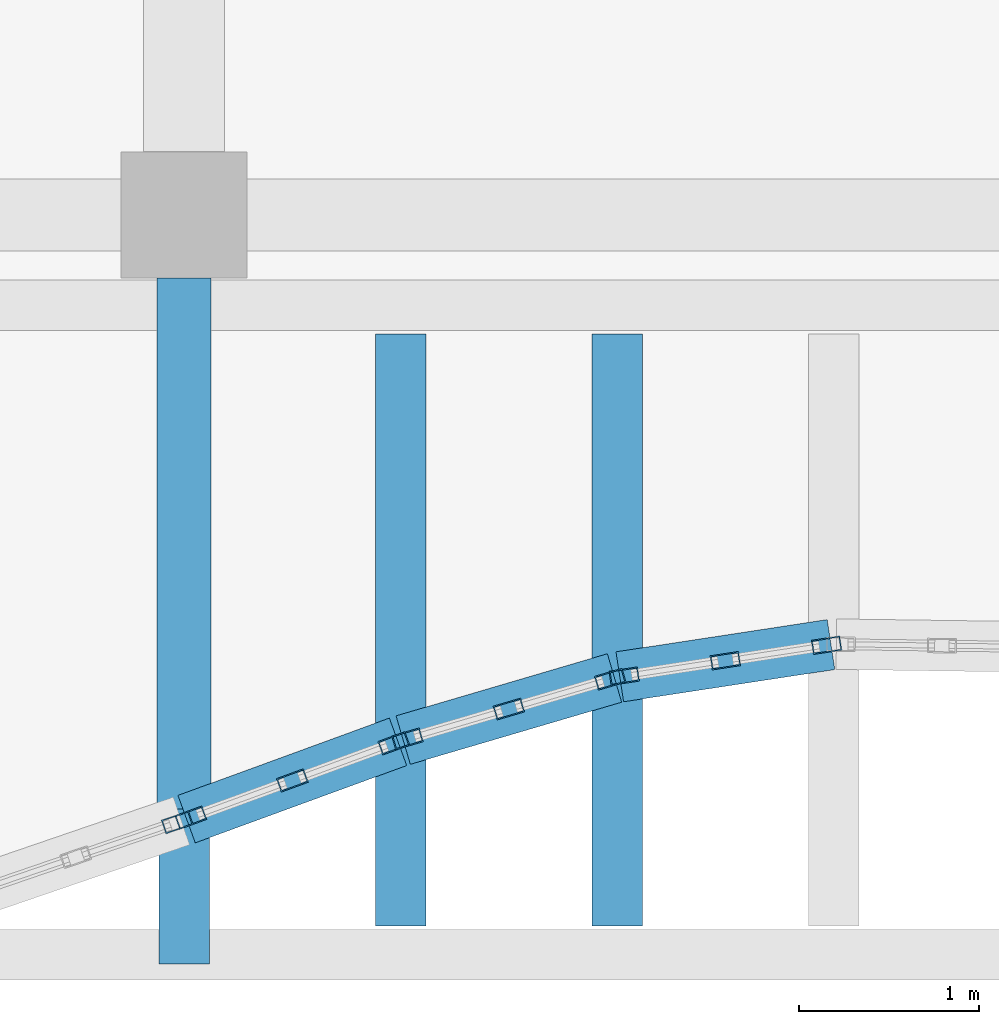
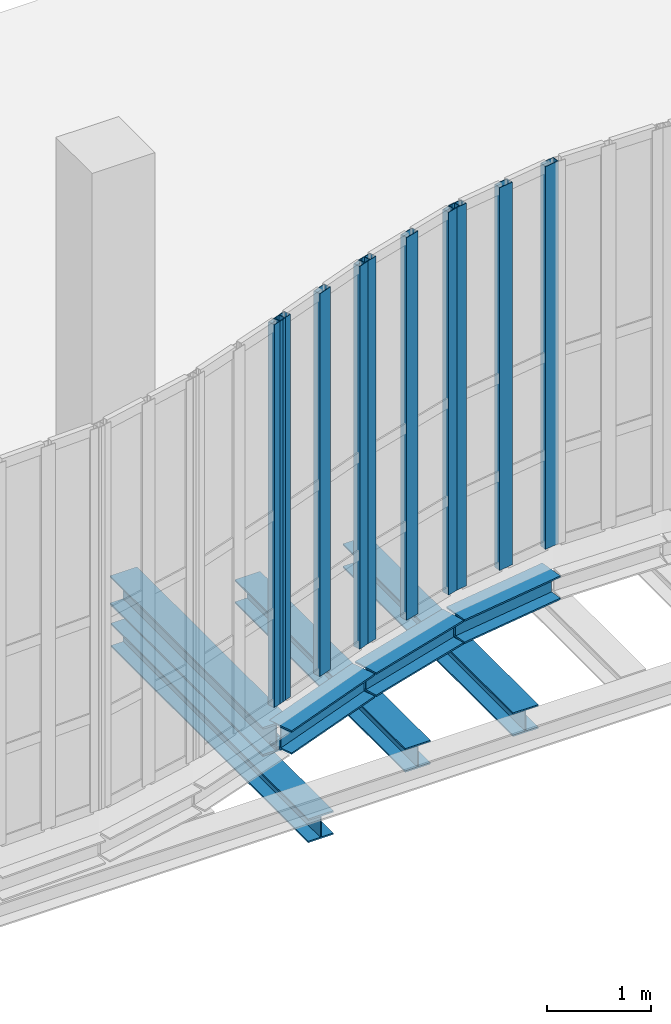
# One storey, part 29 of 108: 10 members, 7 beams, 4 elements without a shape of their own.
"""IFC4 building model written with IfcOpenShell, lengths in metres."""

from ifc_helpers import new_model, si_unit, direction, frame, origin, origin_2d, place, context, subcontext, project, spatial, hollow_rectangle, i_section, extrude, material, layer, layer_set, material_profile, profile_set, type_object, element, aggregate, save


model = new_model("IFC4")

# Units and contexts
model_context = context("Model", 3, precision=1e-05, world=origin(), true_north=direction((0.0, 1.0)))
body_context = subcontext(model_context, "Body", "Model", "MODEL_VIEW")
ifc_project = project(units=[si_unit("LENGTHUNIT", "METRE"), si_unit("AREAUNIT", "SQUARE_METRE"), si_unit("VOLUMEUNIT", "CUBIC_METRE"), si_unit("PLANEANGLEUNIT", "RADIAN"), si_unit("MASSUNIT", "GRAM", prefix="KILO"), si_unit("THERMODYNAMICTEMPERATUREUNIT", "KELVIN"), si_unit("POWERUNIT", "WATT")], contexts=[model_context])

# Site, building, storey
site_placement = place(None, origin())
site = spatial("IfcSite", under=ifc_project, at=site_placement, CompositionType="ELEMENT")
building_placement = place(site_placement, origin())
building = spatial("IfcBuilding", under=site, at=building_placement, Name="Kaldorven Railside Theatre", CompositionType="ELEMENT")
storey_placement = place(building_placement, frame((0.0, 0.0, 5.39990234375)))
storey = spatial("IfcBuildingStorey", under=building, at=storey_placement, Name="L01", CompositionType="ELEMENT", Elevation=5.39990234375)

# Beams
ifc_material_1 = material(Name="Steel S355", Category="steel")
ifc_material_profile_1 = material_profile(ifc_material_1, i_section(OverallWidth=0.280029296875, OverallDepth=0.280029296875, WebThickness=0.010498046875, FlangeThickness=0.01806640625, at=origin_2d()), Name="HEB 280")
ifc_profile_set_1 = profile_set([ifc_material_profile_1], Name="Steel S355")
beam_type_1 = type_object("IfcBeamType", Name="BM-HEB280", PredefinedType="SPANDREL", material=ifc_profile_set_1)
beam_1_placement = place(storey_placement, frame((80.0, 15.050048828125, -1.0), z_axis=(0.0, 1.0, 0.0), x_axis=(-1.0, 0.0, 0.0)))
element("IfcBeam", 1, at=beam_1_placement, inside=storey, type_object=beam_type_1, Name="L01 Sinusoidal Lower Cantilever Girder FOB-K006", PredefinedType="SPANDREL", context=body_context, shape_type="SweptSolid", body=[
    extrude(i_section(OverallWidth=0.280029296875, OverallDepth=0.280029296875, WebThickness=0.010498046875, FlangeThickness=0.01806640625, at=origin_2d()), origin(), (0.0, 0.0, 1.0), 3.800048828125),
])
beam_2_placement = place(storey_placement, frame((80.01416015625, 15.8515625, -0.43994140625), z_axis=(0.939169047954, 0.343455236333, 0.0), x_axis=(-0.343455236333, 0.939169047954, 0.0)))
element("IfcBeam", 2, at=beam_2_placement, inside=storey, type_object=beam_type_1, Name="L01 Sinusoidal Flute Edge Spandrel FSB-037", PredefinedType="SPANDREL", context=body_context, shape_type="SweptSolid", body=[
    extrude(i_section(OverallWidth=0.280029296875, OverallDepth=0.280029296875, WebThickness=0.010498046875, FlangeThickness=0.01806640625, at=origin_2d()), origin(), (0.0, 0.0, 1.0), 1.24755859375),
])
beam_3_placement = place(storey_placement, frame((81.21435546875, 16.28955078125, -0.43994140625), z_axis=(0.959413259183, 0.282003897321, 0.0), x_axis=(-0.282003897321, 0.959413259183, 0.0)))
element("IfcBeam", 3, at=beam_3_placement, inside=storey, type_object=beam_type_1, Name="L01 Sinusoidal Flute Edge Spandrel FSB-038", PredefinedType="SPANDREL", context=body_context, shape_type="SweptSolid", body=[
    extrude(i_section(OverallWidth=0.280029296875, OverallDepth=0.280029296875, WebThickness=0.010498046875, FlangeThickness=0.01806640625, at=origin_2d()), origin(), (0.0, 0.0, 1.0), 1.220703125),
])
beam_4_placement = place(storey_placement, frame((81.199951171875, 15.260009765625, -0.719970703125), z_axis=(0.0, 1.0, 0.0), x_axis=(-1.0, 0.0, 0.0)))
element("IfcBeam", 4, at=beam_4_placement, inside=storey, type_object=beam_type_1, Name="L01 Sinusoidal Diaphragm Rib Outrigger FOB-M038", PredefinedType="SPANDREL", context=body_context, shape_type="SweptSolid", body=[
    extrude(i_section(OverallWidth=0.280029296875, OverallDepth=0.280029296875, WebThickness=0.010498046875, FlangeThickness=0.01806640625, at=origin_2d()), origin(), (0.0, 0.0, 1.0), 3.280029296875),
])
beam_5_placement = place(storey_placement, frame((82.414794921875, 16.640380859375, -0.43994140625), z_axis=(0.988573454696, 0.150739923943, 0.0), x_axis=(-0.150739923943, 0.988573454696, 0.0)))
element("IfcBeam", 5, at=beam_5_placement, inside=storey, type_object=beam_type_1, Name="L01 Sinusoidal Flute Edge Spandrel FSB-039", PredefinedType="SPANDREL", context=body_context, shape_type="SweptSolid", body=[
    extrude(i_section(OverallWidth=0.280029296875, OverallDepth=0.280029296875, WebThickness=0.010498046875, FlangeThickness=0.01806640625, at=origin_2d()), origin(), (0.0, 0.0, 1.0), 1.183837890625),
])
beam_6_placement = place(storey_placement, frame((82.39990234375, 15.260009765625, -0.719970703125), z_axis=(0.0, 1.0, 0.0), x_axis=(-1.0, 0.0, 0.0)))
element("IfcBeam", 6, at=beam_6_placement, inside=storey, type_object=beam_type_1, Name="L01 Sinusoidal Diaphragm Rib Outrigger FOB-M039", PredefinedType="SPANDREL", context=body_context, shape_type="SweptSolid", body=[
    extrude(i_section(OverallWidth=0.280029296875, OverallDepth=0.280029296875, WebThickness=0.010498046875, FlangeThickness=0.01806640625, at=origin_2d()), origin(), (0.0, 0.0, 1.0), 3.280029296875),
])
ifc_material_profile_2 = material_profile(ifc_material_1, i_section(OverallWidth=0.300048828125, OverallDepth=0.340087890625, WebThickness=0.011962890625, FlangeThickness=0.021484375, at=origin_2d()), Name="HEB 340")
ifc_profile_set_2 = profile_set([ifc_material_profile_2], Name="Steel S355")
beam_type_2 = type_object("IfcBeamType", Name="BM-HEB340", PredefinedType="SPANDREL", material=ifc_profile_set_2)
beam_7_placement = place(storey_placement, frame((80.0, 15.906494140625, -0.469970703125), z_axis=(0.0, 1.0, 0.0), x_axis=(-1.0, 0.0, 0.0)))
element("IfcBeam", 7, at=beam_7_placement, inside=storey, type_object=beam_type_2, Name="L01 Sinusoidal Veil Outrigger FOB-1080", PredefinedType="SPANDREL", context=body_context, shape_type="SweptSolid", body=[
    extrude(i_section(OverallWidth=0.300048828125, OverallDepth=0.340087890625, WebThickness=0.011962890625, FlangeThickness=0.021484375, at=origin_2d()), origin(), (0.0, 0.0, 1.0), 2.943603515625),
])

# Curtain wall, member
ifc_material_2 = material(Name="Low-E laminated solar-control glass", Category="glass")
ifc_layer_1 = layer(ifc_material_2, 0.159912109375, Name="Low-E laminated solar-control glass")
ifc_layer_set_1 = layer_set([ifc_layer_1], Name="Low-E laminated solar-control glass")
curtain_wall_type_1 = type_object("IfcCurtainWallType", Name="CWT-04", PredefinedType="USERDEFINED", material=ifc_layer_set_1)
curtain_wall_1_placement = place(storey_placement, origin())
curtain_wall_1 = element("IfcCurtainWall", 8, at=curtain_wall_1_placement, inside=storey, type_object=curtain_wall_type_1, Name="Sinusoidal Fluted Curtain Wall CW-L01-S36", ObjectType="FLUTED GLAZING", PredefinedType="USERDEFINED")
ifc_material_3 = material(Name="Anodised bronze aluminium", Category="aluminium")
ifc_material_profile_3 = material_profile(ifc_material_3, hollow_rectangle(XDim=0.080078125, YDim=0.159912109375, WallThickness=0.00634765625, at=origin_2d()), Name="RHS 160x80x6.3")
ifc_profile_set_3 = profile_set([ifc_material_profile_3], Name="Anodised bronze aluminium")
member_type = type_object("IfcMemberType", Name="CWM-160", PredefinedType="MULLION", material=ifc_profile_set_3)
member_1_placement = place(storey_placement, frame((79.962158203125, 15.83349609375, 0.0), z_axis=(0.0, 0.0, 1.0), x_axis=(-0.324092530311, 0.946025386444, 0.0)))
member_1 = element("IfcMember", 9, at=member_1_placement, type_object=member_type, Name="CW-L01-S36 mullion 3", PredefinedType="MULLION", context=body_context, shape_type="SweptSolid", body=[
    extrude(hollow_rectangle(XDim=0.080078125, YDim=0.159912109375, WallThickness=0.00634765625, at=origin_2d()), origin(), (0.0, 0.0, 1.0), 4.5),
])
aggregate(curtain_wall_1, [member_1])

# Curtain wall, members
ifc_layer_2 = layer(ifc_material_2, 0.159912109375, Name="Low-E laminated solar-control glass")
ifc_layer_set_2 = layer_set([ifc_layer_2], Name="Low-E laminated solar-control glass")
curtain_wall_type_2 = type_object("IfcCurtainWallType", Name="CWT-01", PredefinedType="USERDEFINED", material=ifc_layer_set_2)
curtain_wall_2_placement = place(storey_placement, origin())
curtain_wall_2 = element("IfcCurtainWall", 10, at=curtain_wall_2_placement, inside=storey, type_object=curtain_wall_type_2, Name="Sinusoidal Fluted Curtain Wall CW-L01-S37", ObjectType="FLUTED GLAZING", PredefinedType="USERDEFINED")
member_2_placement = place(storey_placement, frame((80.03759765625, 15.860107421875, 0.0), z_axis=(0.0, 0.0, 1.0), x_axis=(-0.343495670631, 0.939154260097, 0.0)))
member_2 = element("IfcMember", 11, at=member_2_placement, type_object=member_type, Name="CW-L01-S37 mullion 1", PredefinedType="MULLION", context=body_context, shape_type="SweptSolid", body=[
    extrude(hollow_rectangle(XDim=0.080078125, YDim=0.159912109375, WallThickness=0.00634765625, at=origin_2d()), origin(), (0.0, 0.0, 1.0), 4.5),
])
member_3_placement = place(storey_placement, frame((80.60009765625, 16.06591796875, 0.0), z_axis=(0.0, 0.0, 1.0), x_axis=(-0.343495670631, 0.939154260097, 0.0)))
member_3 = element("IfcMember", 12, at=member_3_placement, type_object=member_type, Name="CW-L01-S37 mullion 2", PredefinedType="MULLION", context=body_context, shape_type="SweptSolid", body=[
    extrude(hollow_rectangle(XDim=0.080078125, YDim=0.159912109375, WallThickness=0.00634765625, at=origin_2d()), origin(), (0.0, 0.0, 1.0), 4.5),
])
member_4_placement = place(storey_placement, frame((81.162353515625, 16.271484375, 0.0), z_axis=(0.0, 0.0, 1.0), x_axis=(-0.343495670631, 0.939154260097, 0.0)))
member_4 = element("IfcMember", 13, at=member_4_placement, type_object=member_type, Name="CW-L01-S37 mullion 3", PredefinedType="MULLION", context=body_context, shape_type="SweptSolid", body=[
    extrude(hollow_rectangle(XDim=0.080078125, YDim=0.159912109375, WallThickness=0.00634765625, at=origin_2d()), origin(), (0.0, 0.0, 1.0), 4.5),
])
aggregate(curtain_wall_2, [member_2, member_3, member_4])

curtain_wall_3_placement = place(storey_placement, origin())
curtain_wall_3 = element("IfcCurtainWall", 14, at=curtain_wall_3_placement, inside=storey, type_object=curtain_wall_type_1, Name="Sinusoidal Fluted Curtain Wall CW-L01-S38", ObjectType="FLUTED GLAZING", PredefinedType="USERDEFINED")
member_5_placement = place(storey_placement, frame((81.23828125, 16.296630859375, 0.0), z_axis=(0.0, 0.0, 1.0), x_axis=(-0.281988847266, 0.959417682773, 0.0)))
member_5 = element("IfcMember", 15, at=member_5_placement, type_object=member_type, Name="CW-L01-S38 mullion 1", PredefinedType="MULLION", context=body_context, shape_type="SweptSolid", body=[
    extrude(hollow_rectangle(XDim=0.080078125, YDim=0.159912109375, WallThickness=0.00634765625, at=origin_2d()), origin(), (0.0, 0.0, 1.0), 4.5),
])
member_6_placement = place(storey_placement, frame((81.800048828125, 16.461669921875, 0.0), z_axis=(0.0, 0.0, 1.0), x_axis=(-0.281988847266, 0.959417682773, 0.0)))
member_6 = element("IfcMember", 16, at=member_6_placement, type_object=member_type, Name="CW-L01-S38 mullion 2", PredefinedType="MULLION", context=body_context, shape_type="SweptSolid", body=[
    extrude(hollow_rectangle(XDim=0.080078125, YDim=0.159912109375, WallThickness=0.00634765625, at=origin_2d()), origin(), (0.0, 0.0, 1.0), 4.5),
])
member_7_placement = place(storey_placement, frame((82.361572265625, 16.626708984375, 0.0), z_axis=(0.0, 0.0, 1.0), x_axis=(-0.281988847266, 0.959417682773, 0.0)))
member_7 = element("IfcMember", 17, at=member_7_placement, type_object=member_type, Name="CW-L01-S38 mullion 3", PredefinedType="MULLION", context=body_context, shape_type="SweptSolid", body=[
    extrude(hollow_rectangle(XDim=0.080078125, YDim=0.159912109375, WallThickness=0.00634765625, at=origin_2d()), origin(), (0.0, 0.0, 1.0), 4.5),
])
aggregate(curtain_wall_3, [member_5, member_6, member_7])

ifc_layer_3 = layer(ifc_material_2, 0.159912109375, Name="Low-E laminated solar-control glass")
ifc_layer_set_3 = layer_set([ifc_layer_3], Name="Low-E laminated solar-control glass")
curtain_wall_type_3 = type_object("IfcCurtainWallType", Name="CWT-07", PredefinedType="USERDEFINED", material=ifc_layer_set_3)
curtain_wall_4_placement = place(storey_placement, origin())
curtain_wall_4 = element("IfcCurtainWall", 18, at=curtain_wall_4_placement, inside=storey, type_object=curtain_wall_type_3, Name="Sinusoidal Fluted Curtain Wall CW-L01-S39", ObjectType="FLUTED GLAZING", PredefinedType="USERDEFINED")
member_8_placement = place(storey_placement, frame((82.439453125, 16.64404296875, 0.0), z_axis=(0.0, 0.0, 1.0), x_axis=(-0.150918064648, 0.988546274973, 0.0)))
member_8 = element("IfcMember", 19, at=member_8_placement, type_object=member_type, Name="CW-L01-S39 mullion 1", PredefinedType="MULLION", context=body_context, shape_type="SweptSolid", body=[
    extrude(hollow_rectangle(XDim=0.080078125, YDim=0.159912109375, WallThickness=0.00634765625, at=origin_2d()), origin(), (0.0, 0.0, 1.0), 4.5),
])
member_9_placement = place(storey_placement, frame((83.0, 16.7294921875, 0.0), z_axis=(0.0, 0.0, 1.0), x_axis=(-0.150918064648, 0.988546274973, 0.0)))
member_9 = element("IfcMember", 20, at=member_9_placement, type_object=member_type, Name="CW-L01-S39 mullion 2", PredefinedType="MULLION", context=body_context, shape_type="SweptSolid", body=[
    extrude(hollow_rectangle(XDim=0.080078125, YDim=0.159912109375, WallThickness=0.00634765625, at=origin_2d()), origin(), (0.0, 0.0, 1.0), 4.5),
])
member_10_placement = place(storey_placement, frame((83.560546875, 16.815185546875, 0.0), z_axis=(0.0, 0.0, 1.0), x_axis=(-0.150918064648, 0.988546274973, 0.0)))
member_10 = element("IfcMember", 21, at=member_10_placement, type_object=member_type, Name="CW-L01-S39 mullion 3", PredefinedType="MULLION", context=body_context, shape_type="SweptSolid", body=[
    extrude(hollow_rectangle(XDim=0.080078125, YDim=0.159912109375, WallThickness=0.00634765625, at=origin_2d()), origin(), (0.0, 0.0, 1.0), 4.5),
])
aggregate(curtain_wall_4, [member_8, member_9, member_10])

save(model, "model.ifc")
